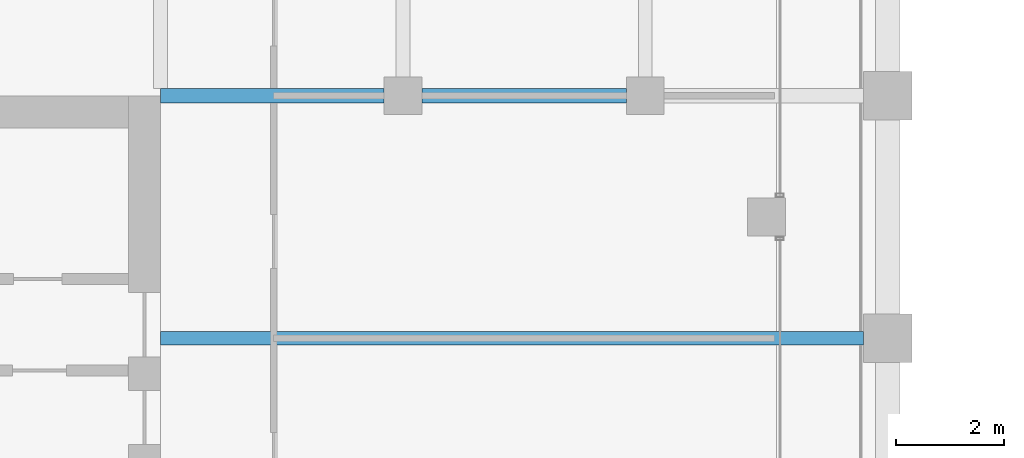
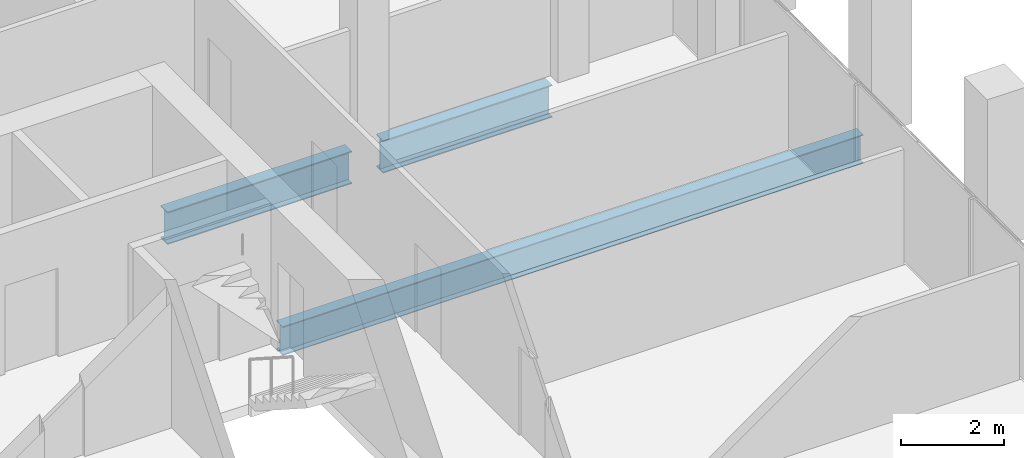
# One storey, part 18 of 40: 3 beams.
"""IFC4 building model written with IfcOpenShell, lengths in metres."""

from ifc_helpers import new_model, si_unit, direction, frame, origin, origin_2d, place, context, subcontext, project, spatial, i_section, extrude, material, material_profile, profile_set, type_object, element, save


model = new_model("IFC4")

# Units and contexts
model_context = context("Model", 3, precision=1e-05, world=origin(), true_north=direction((0.0, 1.0)))
body_context = subcontext(model_context, "Body", "Model", "MODEL_VIEW")
ifc_project = project(units=[si_unit("LENGTHUNIT", "METRE"), si_unit("AREAUNIT", "SQUARE_METRE"), si_unit("VOLUMEUNIT", "CUBIC_METRE"), si_unit("PLANEANGLEUNIT", "RADIAN"), si_unit("MASSUNIT", "GRAM", prefix="KILO")], contexts=[model_context])

# Site, building, storey
site_placement = place(None, origin())
site = spatial("IfcSite", under=ifc_project, at=site_placement, CompositionType="ELEMENT")
building_placement = place(site_placement, origin())
building = spatial("IfcBuilding", under=site, at=building_placement, Name="Altepetl Exchange Towers", CompositionType="ELEMENT")
storey_placement = place(building_placement, frame((0.0, 0.0, 151.0)))
storey = spatial("IfcBuildingStorey", under=building, at=storey_placement, Name="L37", CompositionType="ELEMENT", Elevation=151.0)

# Beams
ifc_material = material(Name="Steel S355", Category="steel")
ifc_material_profile_1 = material_profile(ifc_material, i_section(OverallWidth=0.25390625, OverallDepth=0.68408203125, WebThickness=0.012451171875, FlangeThickness=0.018798828125, at=origin_2d()), Name="W27X94")
ifc_profile_set_1 = profile_set([ifc_material_profile_1], Name="Steel S355")
beam_type_1 = type_object("IfcBeamType", Name="Floor beam W27X94", PredefinedType="BEAM", material=ifc_profile_set_1)
beam_1_placement = place(storey_placement, frame((58.5, 54.0, -0.491943359375), z_axis=(1.0, 0.0, 0.0), x_axis=(0.0, 1.0, 0.0)))
element("IfcBeam", 1, at=beam_1_placement, inside=storey, type_object=beam_type_1, Name="bm:A:L37:011", PredefinedType="BEAM", context=body_context, shape_type="SweptSolid", body=[
    extrude(i_section(OverallWidth=0.25390625, OverallDepth=0.68408203125, WebThickness=0.012451171875, FlangeThickness=0.018798828125, at=origin_2d()), origin(), (0.0, 0.0, 1.0), 13.050048828125),
])
ifc_material_profile_2 = material_profile(ifc_material, i_section(OverallWidth=0.26806640625, OverallDepth=0.77392578125, WebThickness=0.015380859375, FlangeThickness=0.025390625, at=origin_2d()), Name="W30X132")
ifc_profile_set_2 = profile_set([ifc_material_profile_2], Name="Steel S355")
beam_type_2 = type_object("IfcBeamType", Name="Girder W30X132", PredefinedType="BEAM", material=ifc_profile_set_2)
beam_2_placement = place(storey_placement, frame((58.5, 58.5, -0.537109375), z_axis=(1.0, 0.0, 0.0), x_axis=(0.0, 1.0, 0.0)))
element("IfcBeam", 2, at=beam_2_placement, inside=storey, type_object=beam_type_2, Name="gd:A:L37:000", PredefinedType="BEAM", context=body_context, shape_type="SweptSolid", body=[
    extrude(i_section(OverallWidth=0.26806640625, OverallDepth=0.77392578125, WebThickness=0.015380859375, FlangeThickness=0.025390625, at=origin_2d()), origin(), (0.0, 0.0, 1.0), 4.14990234375),
])
beam_3_placement = place(storey_placement, frame((63.35009765625, 58.5, -0.537109375), z_axis=(1.0, 0.0, 0.0), x_axis=(0.0, 1.0, 0.0)))
element("IfcBeam", 3, at=beam_3_placement, inside=storey, type_object=beam_type_2, Name="gd:A:L37:001", PredefinedType="BEAM", context=body_context, shape_type="SweptSolid", body=[
    extrude(i_section(OverallWidth=0.26806640625, OverallDepth=0.77392578125, WebThickness=0.015380859375, FlangeThickness=0.025390625, at=origin_2d()), origin(), (0.0, 0.0, 1.0), 3.7998046875),
])

save(model, "model.ifc")
